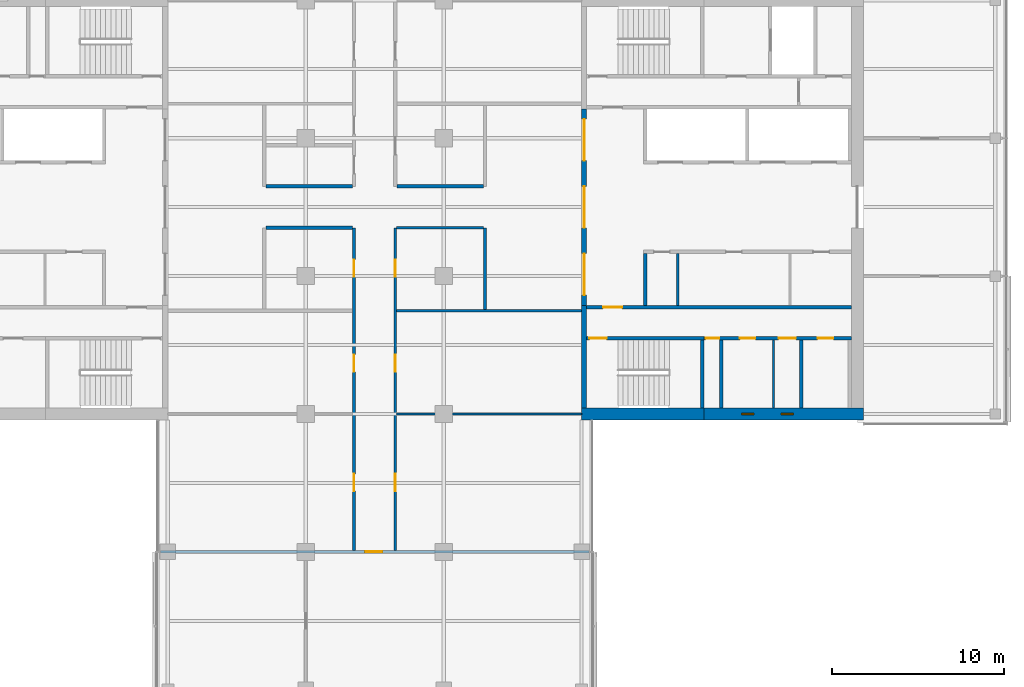
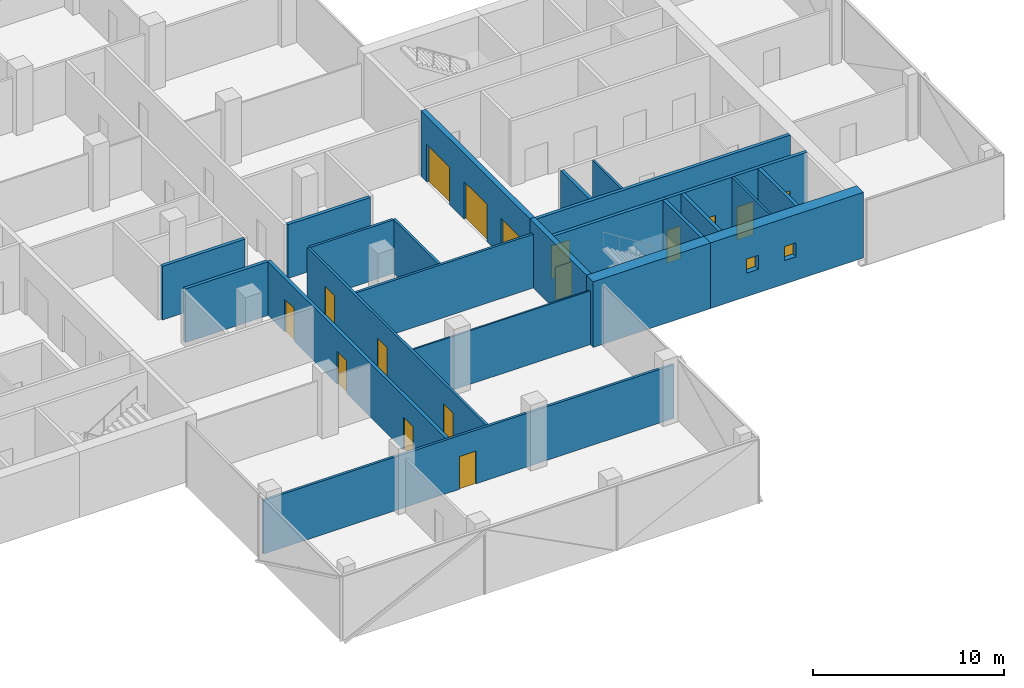
# One storey, part 14 of 22: 23 walls, 16 doors, 2 windows, 18 openings.
"""IFC4 building model written with IfcOpenShell, lengths in metres."""

from ifc_helpers import new_model, si_unit, direction, frame, frame_2d, origin, place, context, subcontext, project, spatial, rectangle, extrude, material, layer, layer_set, constituent, constituent_set, type_object, element, fill, save


model = new_model("IFC4")

# Units and contexts
model_context = context("Model", 3, precision=1e-05, world=origin(), true_north=direction((0.0, 1.0)))
body_context = subcontext(model_context, "Body", "Model", "MODEL_VIEW")
ifc_project = project(units=[si_unit("LENGTHUNIT", "METRE"), si_unit("AREAUNIT", "SQUARE_METRE"), si_unit("VOLUMEUNIT", "CUBIC_METRE"), si_unit("PLANEANGLEUNIT", "RADIAN"), si_unit("MASSUNIT", "GRAM", prefix="KILO")], contexts=[model_context])

# Site, building, storey
site_placement = place(None, origin())
site = spatial("IfcSite", under=ifc_project, at=site_placement, CompositionType="ELEMENT")
building_placement = place(site_placement, origin())
building = spatial("IfcBuilding", under=site, at=building_placement, Name="Crosswind Convention Tower", CompositionType="ELEMENT")
storey_placement = place(building_placement, frame((0.0, 0.0, 129.5)))
storey = spatial("IfcBuildingStorey", under=building, at=storey_placement, Name="L26", CompositionType="ELEMENT", Elevation=129.5)

# Wall
ifc_material_1 = material(Name="Concrete blockwork", Category="masonry")
ifc_layer_1 = layer(ifc_material_1, 0.199951171875)
ifc_layer_set_1 = layer_set([ifc_layer_1], Name="Blockwork partition wall 200")
wall_type_1 = type_object("IfcWallType", Name="Blockwork partition wall 200", PredefinedType="PARTITIONING", material=ifc_layer_set_1)
wall_1_placement = place(storey_placement, frame((145.10009765625, 88.35009765625, 0.0), z_axis=(0.0, 0.0, 1.0), x_axis=(0.0, 1.0, 0.0)))
element("IfcWall", 1, at=wall_1_placement, inside=storey, type_object=wall_type_1, Name="Wall MRSE E L26", PredefinedType="PARTITIONING", context=body_context, shape_type="SweptSolid", body=[
    extrude(rectangle(XDim=3.949951171875, YDim=0.199951171875, at=frame_2d((1.97509765625, 0.0))), origin(), (0.0, 0.0, 1.0), 4.199951171875),
])

# Wall, openings, doors
ifc_layer_2 = layer(ifc_material_1, 0.199951171875)
ifc_layer_set_2 = layer_set([ifc_layer_2], Name="COMPARTMENT WALL 200 BLOCKWORK")
wall_type_2 = type_object("IfcWallType", Name="COMPARTMENT WALL 200 BLOCKWORK", PredefinedType="SOLIDWALL", material=ifc_layer_set_2)
wall_2_placement = place(storey_placement, frame((123.800048828125, 80.074951171875, 0.0), z_axis=(0.0, 0.0, 1.0), x_axis=(0.0, 1.0, 0.0)))
wall_2 = element("IfcWall", 2, at=wall_2_placement, inside=storey, type_object=wall_type_2, Name="Compartment wall WT42", PredefinedType="SOLIDWALL", context=body_context, shape_type="SweptSolid", body=[
    extrude(rectangle(XDim=18.72509765625, YDim=0.199951171875, at=frame_2d((9.362548828125, 0.0))), origin(), (0.0, 0.0, 1.0), 3.436279296875),
])
opening_1_placement = place(wall_2_placement, frame((15.875, 0.0, 0.0)))
opening_1 = element("IfcOpeningElement", 3, at=opening_1_placement, cuts=wall_2, Name="Opening L26-60", PredefinedType="OPENING", context=body_context, shape_type="SweptSolid", body=[
    extrude(rectangle(XDim=1.0, YDim=2.10009765625, at=frame_2d((0.5, 1.050048828125))), frame((0.0, 0.10986328125, 0.0), z_axis=(0.0, -1.0, 0.0), x_axis=(1.0, 0.0, 0.0)), (0.0, 0.0, 1.0), 0.219970703125),
])
opening_2_placement = place(wall_2_placement, frame((10.375, 0.0, 0.0)))
opening_2 = element("IfcOpeningElement", 4, at=opening_2_placement, cuts=wall_2, Name="Opening L26-61", PredefinedType="OPENING", context=body_context, shape_type="SweptSolid", body=[
    extrude(rectangle(XDim=1.0, YDim=2.10009765625, at=frame_2d((0.5, 1.050048828125))), frame((0.0, 0.10986328125, 0.0), z_axis=(0.0, -1.0, 0.0), x_axis=(1.0, 0.0, 0.0)), (0.0, 0.0, 1.0), 0.219970703125),
])
opening_3_placement = place(wall_2_placement, frame((3.449951171875, 0.0, 0.0)))
opening_3 = element("IfcOpeningElement", 5, at=opening_3_placement, cuts=wall_2, Name="Opening L26-62", PredefinedType="OPENING", context=body_context, shape_type="SweptSolid", body=[
    extrude(rectangle(XDim=1.0, YDim=2.10009765625, at=frame_2d((0.5, 1.050048828125))), frame((0.0, 0.10986328125, 0.0), z_axis=(0.0, -1.0, 0.0), x_axis=(1.0, 0.0, 0.0)), (0.0, 0.0, 1.0), 0.219970703125),
])
ifc_material_2 = material(Name="Steel fire door", Category="steel")
door_type_1 = type_object("IfcDoorType", Name="PLANT ROOM DOOR 1000X2100 FD60", OperationType="NOTDEFINED", PredefinedType="DOOR", material=ifc_material_2)
door_1_placement = place(opening_1_placement, origin())
door_1 = element("IfcDoor", 6, at=door_1_placement, inside=storey, type_object=door_type_1, Name="Door L26-60", ObjectType="D43", OperationType="SINGLE_SWING_RIGHT", OverallHeight=2.10009765625, OverallWidth=1.0, PredefinedType="DOOR", context=body_context, shape_type="SweptSolid", body=[
    extrude(rectangle(XDim=1.0, YDim=2.10009765625, at=frame_2d((0.5, 1.050048828125))), frame((0.0, 0.02490234375, 0.0), z_axis=(0.0, -1.0, 0.0), x_axis=(1.0, 0.0, 0.0)), (0.0, 0.0, 1.0), 0.050048828125),
])
fill(opening_1, door_1)
ifc_material_3 = material(Name="Timber fire door", Category="wood")
door_type_2 = type_object("IfcDoorType", Name="TENANCY ENTRANCE DOOR 1000X2100 FD30S", OperationType="NOTDEFINED", PredefinedType="DOOR", material=ifc_material_3)
door_2_placement = place(opening_2_placement, frame((1.0, 0.0, 0.0), z_axis=(0.0, 0.0, 1.0), x_axis=(-1.0, 0.0, 0.0)))
door_2 = element("IfcDoor", 7, at=door_2_placement, inside=storey, type_object=door_type_2, Name="Door L26-61", ObjectType="D41", OperationType="SINGLE_SWING_LEFT", OverallHeight=2.10009765625, OverallWidth=1.0, PredefinedType="DOOR", context=body_context, shape_type="SweptSolid", body=[
    extrude(rectangle(XDim=1.0, YDim=2.10009765625, at=frame_2d((0.5, 1.050048828125))), frame((0.0, 0.02490234375, 0.0), z_axis=(0.0, -1.0, 0.0), x_axis=(1.0, 0.0, 0.0)), (0.0, 0.0, 1.0), 0.050048828125),
])
fill(opening_2, door_2)
door_3_placement = place(opening_3_placement, origin())
door_3 = element("IfcDoor", 8, at=door_3_placement, inside=storey, type_object=door_type_2, Name="Door L26-62", ObjectType="D41", OperationType="SINGLE_SWING_RIGHT", OverallHeight=2.10009765625, OverallWidth=1.0, PredefinedType="DOOR", context=body_context, shape_type="SweptSolid", body=[
    extrude(rectangle(XDim=1.0, YDim=2.10009765625, at=frame_2d((0.5, 1.050048828125))), frame((0.0, 0.02490234375, 0.0), z_axis=(0.0, -1.0, 0.0), x_axis=(1.0, 0.0, 0.0)), (0.0, 0.0, 1.0), 0.050048828125),
])
fill(opening_3, door_3)

# Walls
for number, where, z_axis, x_axis, name in (
    (9, (118.699951171875, 98.800048828125, 0.0), (0.0, 0.0, 1.0), (1.0, 0.0, 0.0), "Compartment wall WT42"),
    (10, (118.699951171875, 101.199951171875, 0.0), (0.0, 0.0, 1.0), (1.0, 0.0, 0.0), "Compartment wall WT42"),
    (11, (126.300048828125, 101.199951171875, 0.0), (0.0, 0.0, 1.0), (1.0, 0.0, 0.0), "Compartment wall WT42"),
):
    element("IfcWall", number, at=place(storey_placement, frame(where, z_axis=z_axis, x_axis=x_axis)), inside=storey, type_object=wall_type_2, Name=name, PredefinedType="SOLIDWALL", context=body_context, shape_type="SweptSolid", body=[
        extrude(rectangle(XDim=5.0, YDim=0.199951171875, at=frame_2d((2.5, 0.0))), origin(), (0.0, 0.0, 1.0), 3.436279296875),
    ])

# Wall, openings, doors
ifc_material_4 = material(Name="Concrete C50/60", Category="concrete")
ifc_layer_3 = layer(ifc_material_4, 0.300048828125)
ifc_layer_set_3 = layer_set([ifc_layer_3], Name="Concrete C50/60")
wall_type_3 = type_object("IfcWallType", Name="Concrete inner core wall 300", PredefinedType="SHEAR", material=ifc_layer_set_3)
wall_3_placement = place(storey_placement, frame((137.14990234375, 94.300048828125, 0.0), z_axis=(0.0, 0.0, 1.0), x_axis=(0.0, 1.0, 0.0)))
wall_3 = element("IfcWall", 12, at=wall_3_placement, inside=storey, type_object=wall_type_3, Name="Wall SCR E L26", PredefinedType="SHEAR", context=body_context, shape_type="SweptSolid", body=[
    extrude(rectangle(XDim=11.39990234375, YDim=0.300048828125, at=frame_2d((5.699951171875, 0.0))), origin(), (0.0, 0.0, 1.0), 4.199951171875),
])
opening_4_placement = place(wall_3_placement, frame((0.60009765625, 0.0, 0.0)))
opening_4 = element("IfcOpeningElement", 13, at=opening_4_placement, cuts=wall_3, Name="Opening D100", PredefinedType="OPENING", context=body_context, shape_type="SweptSolid", body=[
    extrude(rectangle(XDim=2.39990234375, YDim=2.39990234375, at=frame_2d((1.199951171875, 1.199951171875))), frame((0.0, 0.159912109375, 0.0), z_axis=(0.0, -1.0, 0.0), x_axis=(1.0, 0.0, 0.0)), (0.0, 0.0, 1.0), 0.320068359375),
])
opening_5_placement = place(wall_3_placement, frame((4.5, 0.0, 0.0)))
opening_5 = element("IfcOpeningElement", 14, at=opening_5_placement, cuts=wall_3, Name="Opening D100", PredefinedType="OPENING", context=body_context, shape_type="SweptSolid", body=[
    extrude(rectangle(XDim=2.39990234375, YDim=2.39990234375, at=frame_2d((1.199951171875, 1.199951171875))), frame((0.0, 0.159912109375, 0.0), z_axis=(0.0, -1.0, 0.0), x_axis=(1.0, 0.0, 0.0)), (0.0, 0.0, 1.0), 0.320068359375),
])
opening_6_placement = place(wall_3_placement, frame((8.39990234375, 0.0, 0.0)))
opening_6 = element("IfcOpeningElement", 15, at=opening_6_placement, cuts=wall_3, Name="Opening D100", PredefinedType="OPENING", context=body_context, shape_type="SweptSolid", body=[
    extrude(rectangle(XDim=2.39990234375, YDim=2.39990234375, at=frame_2d((1.199951171875, 1.199951171875))), frame((0.0, 0.159912109375, 0.0), z_axis=(0.0, -1.0, 0.0), x_axis=(1.0, 0.0, 0.0)), (0.0, 0.0, 1.0), 0.320068359375),
])
ifc_material_5 = material(Name="Steel fire door with glazed vision panels", Category="steel")
door_type_3 = type_object("IfcDoorType", Name="Fire-rated double door 2400x2400", OperationType="DOUBLE_DOOR_SINGLE_SWING", PredefinedType="DOOR", material=ifc_material_5)
door_4_placement = place(opening_4_placement, origin())
door_4 = element("IfcDoor", 16, at=door_4_placement, inside=storey, type_object=door_type_3, Name="Lobby door 1 L26", ObjectType="D100", OperationType="DOUBLE_DOOR_SINGLE_SWING", OverallHeight=2.39990234375, OverallWidth=2.39990234375, PredefinedType="DOOR", context=body_context, shape_type="SweptSolid", body=[
    extrude(rectangle(XDim=2.39990234375, YDim=2.39990234375, at=frame_2d((1.199951171875, 1.199951171875))), frame((0.0, 0.02490234375, 0.0), z_axis=(0.0, -1.0, 0.0), x_axis=(1.0, 0.0, 0.0)), (0.0, 0.0, 1.0), 0.050048828125),
])
fill(opening_4, door_4)
door_5_placement = place(opening_5_placement, origin())
door_5 = element("IfcDoor", 17, at=door_5_placement, inside=storey, type_object=door_type_3, Name="Lobby door 2 L26", ObjectType="D100", OperationType="DOUBLE_DOOR_SINGLE_SWING", OverallHeight=2.39990234375, OverallWidth=2.39990234375, PredefinedType="DOOR", context=body_context, shape_type="SweptSolid", body=[
    extrude(rectangle(XDim=2.39990234375, YDim=2.39990234375, at=frame_2d((1.199951171875, 1.199951171875))), frame((0.0, 0.02490234375, 0.0), z_axis=(0.0, -1.0, 0.0), x_axis=(1.0, 0.0, 0.0)), (0.0, 0.0, 1.0), 0.050048828125),
])
fill(opening_5, door_5)
door_6_placement = place(opening_6_placement, origin())
door_6 = element("IfcDoor", 18, at=door_6_placement, inside=storey, type_object=door_type_3, Name="Lobby door 3 L26", ObjectType="D100", OperationType="DOUBLE_DOOR_SINGLE_SWING", OverallHeight=2.39990234375, OverallWidth=2.39990234375, PredefinedType="DOOR", context=body_context, shape_type="SweptSolid", body=[
    extrude(rectangle(XDim=2.39990234375, YDim=2.39990234375, at=frame_2d((1.199951171875, 1.199951171875))), frame((0.0, 0.02490234375, 0.0), z_axis=(0.0, -1.0, 0.0), x_axis=(1.0, 0.0, 0.0)), (0.0, 0.0, 1.0), 0.050048828125),
])
fill(opening_6, door_6)

# Walls
wall_4_placement = place(storey_placement, frame((137.14990234375, 88.35009765625, 0.0), z_axis=(0.0, 0.0, 1.0), x_axis=(0.0, 1.0, 0.0)))
element("IfcWall", 19, at=wall_4_placement, inside=storey, type_object=wall_type_3, Name="Wall EM E L26", PredefinedType="SHEAR", context=body_context, shape_type="SweptSolid", body=[
    extrude(rectangle(XDim=5.949951171875, YDim=0.300048828125, at=frame_2d((2.97509765625, 0.0))), origin(), (0.0, 0.0, 1.0), 4.199951171875),
])
ifc_layer_4 = layer(ifc_material_4, 0.199951171875)
ifc_layer_set_4 = layer_set([ifc_layer_4], Name="Concrete C50/60")
wall_type_4 = type_object("IfcWallType", Name="Concrete shaft and stair wall 200", PredefinedType="SHEAR", material=ifc_layer_set_4)
wall_5_placement = place(storey_placement, frame((140.699951171875, 94.300048828125, 0.0), z_axis=(0.0, 0.0, 1.0), x_axis=(0.0, 1.0, 0.0)))
element("IfcWall", 20, at=wall_5_placement, inside=storey, type_object=wall_type_4, Name="Wall RMEND E L26", PredefinedType="SHEAR", context=body_context, shape_type="SweptSolid", body=[
    extrude(rectangle(XDim=3.0, YDim=0.199951171875, at=frame_2d((1.5, 0.0))), origin(), (0.0, 0.0, 1.0), 4.199951171875),
])

# Wall, opening, door
wall_6_placement = place(storey_placement, frame((137.300048828125, 94.199951171875, 0.0), z_axis=(0.0, 0.0, 1.0), x_axis=(1.0, 0.0, 0.0)))
wall_6 = element("IfcWall", 21, at=wall_6_placement, inside=storey, type_object=wall_type_4, Name="Wall HM E L26", PredefinedType="SHEAR", context=body_context, shape_type="SweptSolid", body=[
    extrude(rectangle(XDim=15.349853515625, YDim=0.199951171875, at=frame_2d((7.6748046875, 0.0))), origin(), (0.0, 0.0, 1.0), 4.199951171875),
])
opening_7_placement = place(wall_6_placement, frame((0.949951171875, 0.0, 0.0)))
opening_7 = element("IfcOpeningElement", 22, at=opening_7_placement, cuts=wall_6, Name="Opening D104", PredefinedType="OPENING", context=body_context, shape_type="SweptSolid", body=[
    extrude(rectangle(XDim=1.10009765625, YDim=2.10009765625, at=frame_2d((0.550048828125, 1.050048828125))), frame((0.0, 0.10986328125, 0.0), z_axis=(0.0, -1.0, 0.0), x_axis=(1.0, 0.0, 0.0)), (0.0, 0.0, 1.0), 0.219970703125),
])
door_type_4 = type_object("IfcDoorType", Name="Fire-rated single door 1100x2100", OperationType="NOTDEFINED", PredefinedType="DOOR", material=ifc_material_2)
door_7_placement = place(opening_7_placement, origin())
door_7 = element("IfcDoor", 23, at=door_7_placement, inside=storey, type_object=door_type_4, Name="Corridor door L26", ObjectType="D104", OperationType="SINGLE_SWING_LEFT", OverallHeight=2.10009765625, OverallWidth=1.10009765625, PredefinedType="DOOR", context=body_context, shape_type="SweptSolid", body=[
    extrude(rectangle(XDim=1.10009765625, YDim=2.10009765625, at=frame_2d((0.550048828125, 1.050048828125))), frame((0.0, 0.02490234375, 0.0), z_axis=(0.0, -1.0, 0.0), x_axis=(1.0, 0.0, 0.0)), (0.0, 0.0, 1.0), 0.050048828125),
])
fill(opening_7, door_7)

# Walls
for number, where, z_axis, x_axis, name in (
    (24, (144.0, 88.35009765625, 0.0), (0.0, 0.0, 1.0), (0.0, 1.0, 0.0), "Wall MSE E L26"),
    (25, (149.75, 88.35009765625, 0.0), (0.0, 0.0, 1.0), (0.0, 1.0, 0.0), "Wall MFSW E L26"),
):
    element("IfcWall", number, at=place(storey_placement, frame(where, z_axis=z_axis, x_axis=x_axis)), inside=storey, type_object=wall_type_4, Name=name, PredefinedType="SHEAR", context=body_context, shape_type="SweptSolid", body=[
        extrude(rectangle(XDim=3.949951171875, YDim=0.199951171875, at=frame_2d((1.97509765625, 0.0))), origin(), (0.0, 0.0, 1.0), 4.199951171875),
    ])

# Wall, opening, door
wall_7_placement = place(storey_placement, frame((137.300048828125, 92.39990234375, 0.0), z_axis=(0.0, 0.0, 1.0), x_axis=(1.0, 0.0, 0.0)))
wall_7 = element("IfcWall", 26, at=wall_7_placement, inside=storey, type_object=wall_type_4, Name="Wall MCW E L26", PredefinedType="SHEAR", context=body_context, shape_type="SweptSolid", body=[
    extrude(rectangle(XDim=6.800048828125, YDim=0.199951171875, at=frame_2d((3.39990234375, 0.0))), origin(), (0.0, 0.0, 1.0), 4.199951171875),
])
opening_8_placement = place(wall_7_placement, frame((0.14990234375, 0.0, 0.0)))
opening_8 = element("IfcOpeningElement", 27, at=opening_8_placement, cuts=wall_7, Name="Opening D103", PredefinedType="OPENING", context=body_context, shape_type="SweptSolid", body=[
    extrude(rectangle(XDim=1.0, YDim=2.10009765625, at=frame_2d((0.5, 1.050048828125))), frame((0.0, 0.10986328125, 0.0), z_axis=(0.0, -1.0, 0.0), x_axis=(1.0, 0.0, 0.0)), (0.0, 0.0, 1.0), 0.219970703125),
])
door_type_5 = type_object("IfcDoorType", Name="Fire-rated single door 1000x2100", OperationType="NOTDEFINED", PredefinedType="DOOR", material=ifc_material_2)
door_8_placement = place(opening_8_placement, frame((1.0, 0.0, 0.0), z_axis=(0.0, 0.0, 1.0), x_axis=(-1.0, 0.0, 0.0)))
door_8 = element("IfcDoor", 28, at=door_8_placement, inside=storey, type_object=door_type_5, Name="Stair ST2 door L26", ObjectType="D103", OperationType="SINGLE_SWING_RIGHT", OverallHeight=2.10009765625, OverallWidth=1.0, PredefinedType="DOOR", context=body_context, shape_type="SweptSolid", body=[
    extrude(rectangle(XDim=1.0, YDim=2.10009765625, at=frame_2d((0.5, 1.050048828125))), frame((0.0, 0.02490234375, 0.0), z_axis=(0.0, -1.0, 0.0), x_axis=(1.0, 0.0, 0.0)), (0.0, 0.0, 1.0), 0.050048828125),
])
fill(opening_8, door_8)

# Wall, openings, doors
wall_8_placement = place(storey_placement, frame((144.10009765625, 92.39990234375, 0.0), z_axis=(0.0, 0.0, 1.0), x_axis=(1.0, 0.0, 0.0)))
wall_8 = element("IfcWall", 29, at=wall_8_placement, inside=storey, type_object=wall_type_4, Name="Wall MCX E L26", PredefinedType="SHEAR", context=body_context, shape_type="SweptSolid", body=[
    extrude(rectangle(XDim=8.5498046875, YDim=0.199951171875, at=frame_2d((4.27490234375, 0.0))), origin(), (0.0, 0.0, 1.0), 4.199951171875),
])
opening_9_placement = place(wall_8_placement, frame((0.10009765625, 0.0, 0.0)))
opening_9 = element("IfcOpeningElement", 30, at=opening_9_placement, cuts=wall_8, Name="Opening D105", PredefinedType="OPENING", context=body_context, shape_type="SweptSolid", body=[
    extrude(rectangle(XDim=0.800048828125, YDim=2.10009765625, at=frame_2d((0.39990234375, 1.050048828125))), frame((0.0, 0.10986328125, 0.0), z_axis=(0.0, -1.0, 0.0), x_axis=(1.0, 0.0, 0.0)), (0.0, 0.0, 1.0), 0.219970703125),
])
opening_10_placement = place(wall_8_placement, frame((2.087158203125, 0.0, 0.0)))
opening_10 = element("IfcOpeningElement", 31, at=opening_10_placement, cuts=wall_8, Name="Opening D106", PredefinedType="OPENING", context=body_context, shape_type="SweptSolid", body=[
    extrude(rectangle(XDim=0.89990234375, YDim=2.10009765625, at=frame_2d((0.449951171875, 1.050048828125))), frame((0.0, 0.10986328125, 0.0), z_axis=(0.0, -1.0, 0.0), x_axis=(1.0, 0.0, 0.0)), (0.0, 0.0, 1.0), 0.219970703125),
])
opening_11_placement = place(wall_8_placement, frame((4.32470703125, 0.0, 0.0)))
opening_11 = element("IfcOpeningElement", 32, at=opening_11_placement, cuts=wall_8, Name="Opening D103", PredefinedType="OPENING", context=body_context, shape_type="SweptSolid", body=[
    extrude(rectangle(XDim=1.0, YDim=2.10009765625, at=frame_2d((0.5, 1.050048828125))), frame((0.0, 0.10986328125, 0.0), z_axis=(0.0, -1.0, 0.0), x_axis=(1.0, 0.0, 0.0)), (0.0, 0.0, 1.0), 0.219970703125),
])
opening_12_placement = place(wall_8_placement, frame((6.60009765625, 0.0, 0.0)))
opening_12 = element("IfcOpeningElement", 33, at=opening_12_placement, cuts=wall_8, Name="Opening D106", PredefinedType="OPENING", context=body_context, shape_type="SweptSolid", body=[
    extrude(rectangle(XDim=0.89990234375, YDim=2.10009765625, at=frame_2d((0.449951171875, 1.050048828125))), frame((0.0, 0.10986328125, 0.0), z_axis=(0.0, -1.0, 0.0), x_axis=(1.0, 0.0, 0.0)), (0.0, 0.0, 1.0), 0.219970703125),
])
door_9_placement = place(opening_11_placement, frame((1.0, 0.0, 0.0), z_axis=(0.0, 0.0, 1.0), x_axis=(-1.0, 0.0, 0.0)))
door_9 = element("IfcDoor", 34, at=door_9_placement, inside=storey, type_object=door_type_5, Name="Door to accessible wc L26", ObjectType="D103", OperationType="SINGLE_SWING_LEFT", OverallHeight=2.10009765625, OverallWidth=1.0, PredefinedType="DOOR", context=body_context, shape_type="SweptSolid", body=[
    extrude(rectangle(XDim=1.0, YDim=2.10009765625, at=frame_2d((0.5, 1.050048828125))), frame((0.0, 0.02490234375, 0.0), z_axis=(0.0, -1.0, 0.0), x_axis=(1.0, 0.0, 0.0)), (0.0, 0.0, 1.0), 0.050048828125),
])
fill(opening_11, door_9)
door_type_6 = type_object("IfcDoorType", Name="Riser access door 800x2100", OperationType="NOTDEFINED", PredefinedType="DOOR", material=ifc_material_2)
door_10_placement = place(opening_9_placement, frame((0.800048828125, 0.0, 0.0), z_axis=(0.0, 0.0, 1.0), x_axis=(-1.0, 0.0, 0.0)))
door_10 = element("IfcDoor", 35, at=door_10_placement, inside=storey, type_object=door_type_6, Name="Riser door L26", ObjectType="D105", OperationType="SINGLE_SWING_LEFT", OverallHeight=2.10009765625, OverallWidth=0.800048828125, PredefinedType="DOOR", context=body_context, shape_type="SweptSolid", body=[
    extrude(rectangle(XDim=0.800048828125, YDim=2.10009765625, at=frame_2d((0.39990234375, 1.050048828125))), frame((0.0, 0.02490234375, 0.0), z_axis=(0.0, -1.0, 0.0), x_axis=(1.0, 0.0, 0.0)), (0.0, 0.0, 1.0), 0.050048828125),
])
fill(opening_9, door_10)
ifc_material_6 = material(Name="Timber door", Category="wood")
door_type_7 = type_object("IfcDoorType", Name="Single leaf door 900x2100", OperationType="NOTDEFINED", PredefinedType="DOOR", material=ifc_material_6)
door_11_placement = place(opening_10_placement, frame((0.89990234375, 0.0, 0.0), z_axis=(0.0, 0.0, 1.0), x_axis=(-1.0, 0.0, 0.0)))
door_11 = element("IfcDoor", 36, at=door_11_placement, inside=storey, type_object=door_type_7, Name="Door to wc L26", ObjectType="D106", OperationType="SINGLE_SWING_LEFT", OverallHeight=2.10009765625, OverallWidth=0.89990234375, PredefinedType="DOOR", context=body_context, shape_type="SweptSolid", body=[
    extrude(rectangle(XDim=0.89990234375, YDim=2.10009765625, at=frame_2d((0.449951171875, 1.050048828125))), frame((0.0, 0.02490234375, 0.0), z_axis=(0.0, -1.0, 0.0), x_axis=(1.0, 0.0, 0.0)), (0.0, 0.0, 1.0), 0.050048828125),
])
fill(opening_10, door_11)
door_12_placement = place(opening_12_placement, frame((0.89990234375, 0.0, 0.0), z_axis=(0.0, 0.0, 1.0), x_axis=(-1.0, 0.0, 0.0)))
door_12 = element("IfcDoor", 37, at=door_12_placement, inside=storey, type_object=door_type_7, Name="Door to accessible wc L26", ObjectType="D106", OperationType="SINGLE_SWING_LEFT", OverallHeight=2.10009765625, OverallWidth=0.89990234375, PredefinedType="DOOR", context=body_context, shape_type="SweptSolid", body=[
    extrude(rectangle(XDim=0.89990234375, YDim=2.10009765625, at=frame_2d((0.449951171875, 1.050048828125))), frame((0.0, 0.02490234375, 0.0), z_axis=(0.0, -1.0, 0.0), x_axis=(1.0, 0.0, 0.0)), (0.0, 0.0, 1.0), 0.050048828125),
])
fill(opening_12, door_12)

# Walls
ifc_material_7 = material(Name="Gypsum plasterboard partition", Category="gypsum")
ifc_layer_5 = layer(ifc_material_7, 0.125)
ifc_layer_set_5 = layer_set([ifc_layer_5], Name="Drywall partition wall 125")
wall_type_5 = type_object("IfcWallType", Name="Drywall partition wall 125", PredefinedType="PARTITIONING", material=ifc_layer_set_5)
wall_9_placement = place(storey_placement, frame((142.577392578125, 94.300048828125, 0.0), z_axis=(0.0, 0.0, 1.0), x_axis=(0.0, 1.0, 0.0)))
element("IfcWall", 38, at=wall_9_placement, inside=storey, type_object=wall_type_5, Name="Wall RMP1 E L26", PredefinedType="PARTITIONING", context=body_context, shape_type="SweptSolid", body=[
    extrude(rectangle(XDim=3.0, YDim=0.125, at=frame_2d((1.5, 0.0))), origin(), (0.0, 0.0, 1.0), 4.199951171875),
])
wall_10_placement = place(storey_placement, frame((148.136962890625, 88.35009765625, 0.0), z_axis=(0.0, 0.0, 1.0), x_axis=(0.0, 1.0, 0.0)))
element("IfcWall", 39, at=wall_10_placement, inside=storey, type_object=wall_type_5, Name="Wall MWP1 E L26", PredefinedType="PARTITIONING", context=body_context, shape_type="SweptSolid", body=[
    extrude(rectangle(XDim=3.949951171875, YDim=0.125, at=frame_2d((1.97509765625, 0.0))), origin(), (0.0, 0.0, 1.0), 4.199951171875),
])
ifc_material_8 = material(Name="Plasterboard partition", Category="gypsum")
ifc_layer_6 = layer(ifc_material_8, 0.10009765625)
ifc_layer_set_6 = layer_set([ifc_layer_6], Name="PARTITION 100 METAL STUD")
wall_type_6 = type_object("IfcWallType", Name="PARTITION 100 METAL STUD", PredefinedType="PARTITIONING", material=ifc_layer_set_6)
wall_11_placement = place(storey_placement, frame((126.27490234375, 88.0, 0.0), z_axis=(0.0, 0.0, 1.0), x_axis=(1.0, 0.0, 0.0)))
element("IfcWall", 40, at=wall_11_placement, inside=storey, type_object=wall_type_6, Name="Partition wall WT40", PredefinedType="PARTITIONING", context=body_context, shape_type="SweptSolid", body=[
    extrude(rectangle(XDim=10.72509765625, YDim=0.10009765625, at=frame_2d((5.362548828125, 0.0))), origin(), (0.0, 0.0, 1.0), 3.436279296875),
])

# Wall, openings, doors
ifc_material_9 = material(Name="Fire-board partition with mineral wool", Category="gypsum")
ifc_layer_7 = layer(ifc_material_9, 0.14990234375)
ifc_layer_set_7 = layer_set([ifc_layer_7], Name="TENANCY WALL 150 TWO-HOUR BOARD")
wall_type_7 = type_object("IfcWallType", Name="TENANCY WALL 150 TWO-HOUR BOARD", PredefinedType="PARTITIONING", material=ifc_layer_set_7)
wall_12_placement = place(storey_placement, frame((126.199951171875, 80.074951171875, 0.0), z_axis=(0.0, 0.0, 1.0), x_axis=(0.0, 1.0, 0.0)))
wall_12 = element("IfcWall", 41, at=wall_12_placement, inside=storey, type_object=wall_type_7, Name="Tenancy wall WT41", PredefinedType="PARTITIONING", context=body_context, shape_type="SweptSolid", body=[
    extrude(rectangle(XDim=18.72509765625, YDim=0.14990234375, at=frame_2d((9.362548828125, 0.0))), origin(), (0.0, 0.0, 1.0), 3.436279296875),
])
opening_13_placement = place(wall_12_placement, frame((15.875, 0.0, 0.0)))
opening_13 = element("IfcOpeningElement", 42, at=opening_13_placement, cuts=wall_12, Name="Opening L26-53", PredefinedType="OPENING", context=body_context, shape_type="SweptSolid", body=[
    extrude(rectangle(XDim=1.0, YDim=2.10009765625, at=frame_2d((0.5, 1.050048828125))), frame((0.0, 0.0849609375, 0.0), z_axis=(0.0, -1.0, 0.0), x_axis=(1.0, 0.0, 0.0)), (0.0, 0.0, 1.0), 0.169921875),
])
opening_14_placement = place(wall_12_placement, frame((10.375, 0.0, 0.0)))
opening_14 = element("IfcOpeningElement", 43, at=opening_14_placement, cuts=wall_12, Name="Opening L26-54", PredefinedType="OPENING", context=body_context, shape_type="SweptSolid", body=[
    extrude(rectangle(XDim=1.0, YDim=2.10009765625, at=frame_2d((0.5, 1.050048828125))), frame((0.0, 0.0849609375, 0.0), z_axis=(0.0, -1.0, 0.0), x_axis=(1.0, 0.0, 0.0)), (0.0, 0.0, 1.0), 0.169921875),
])
opening_15_placement = place(wall_12_placement, frame((3.449951171875, 0.0, 0.0)))
opening_15 = element("IfcOpeningElement", 44, at=opening_15_placement, cuts=wall_12, Name="Opening L26-55", PredefinedType="OPENING", context=body_context, shape_type="SweptSolid", body=[
    extrude(rectangle(XDim=1.0, YDim=2.10009765625, at=frame_2d((0.5, 1.050048828125))), frame((0.0, 0.0849609375, 0.0), z_axis=(0.0, -1.0, 0.0), x_axis=(1.0, 0.0, 0.0)), (0.0, 0.0, 1.0), 0.169921875),
])
door_13_placement = place(opening_13_placement, frame((1.0, 0.0, 0.0), z_axis=(0.0, 0.0, 1.0), x_axis=(-1.0, 0.0, 0.0)))
door_13 = element("IfcDoor", 45, at=door_13_placement, inside=storey, type_object=door_type_2, Name="Door L26-53", ObjectType="D41", OperationType="SINGLE_SWING_LEFT", OverallHeight=2.10009765625, OverallWidth=1.0, PredefinedType="DOOR", context=body_context, shape_type="SweptSolid", body=[
    extrude(rectangle(XDim=1.0, YDim=2.10009765625, at=frame_2d((0.5, 1.050048828125))), frame((0.0, 0.02490234375, 0.0), z_axis=(0.0, -1.0, 0.0), x_axis=(1.0, 0.0, 0.0)), (0.0, 0.0, 1.0), 0.050048828125),
])
fill(opening_13, door_13)
door_14_placement = place(opening_14_placement, frame((1.0, 0.0, 0.0), z_axis=(0.0, 0.0, 1.0), x_axis=(-1.0, 0.0, 0.0)))
door_14 = element("IfcDoor", 46, at=door_14_placement, inside=storey, type_object=door_type_2, Name="Door L26-54", ObjectType="D41", OperationType="SINGLE_SWING_RIGHT", OverallHeight=2.10009765625, OverallWidth=1.0, PredefinedType="DOOR", context=body_context, shape_type="SweptSolid", body=[
    extrude(rectangle(XDim=1.0, YDim=2.10009765625, at=frame_2d((0.5, 1.050048828125))), frame((0.0, 0.02490234375, 0.0), z_axis=(0.0, -1.0, 0.0), x_axis=(1.0, 0.0, 0.0)), (0.0, 0.0, 1.0), 0.050048828125),
])
fill(opening_14, door_14)
door_15_placement = place(opening_15_placement, frame((1.0, 0.0, 0.0), z_axis=(0.0, 0.0, 1.0), x_axis=(-1.0, 0.0, 0.0)))
door_15 = element("IfcDoor", 47, at=door_15_placement, inside=storey, type_object=door_type_2, Name="Door L26-55", ObjectType="D41", OperationType="SINGLE_SWING_LEFT", OverallHeight=2.10009765625, OverallWidth=1.0, PredefinedType="DOOR", context=body_context, shape_type="SweptSolid", body=[
    extrude(rectangle(XDim=1.0, YDim=2.10009765625, at=frame_2d((0.5, 1.050048828125))), frame((0.0, 0.02490234375, 0.0), z_axis=(0.0, -1.0, 0.0), x_axis=(1.0, 0.0, 0.0)), (0.0, 0.0, 1.0), 0.050048828125),
])
fill(opening_15, door_15)

# Wall
wall_13_placement = place(storey_placement, frame((131.39990234375, 94.074951171875, 0.0), z_axis=(0.0, 0.0, 1.0), x_axis=(0.0, 1.0, 0.0)))
element("IfcWall", 48, at=wall_13_placement, inside=storey, type_object=wall_type_7, Name="Tenancy wall WT41", PredefinedType="PARTITIONING", context=body_context, shape_type="SweptSolid", body=[
    extrude(rectangle(XDim=4.72509765625, YDim=0.14990234375, at=frame_2d((2.362548828125, 0.0))), origin(), (0.0, 0.0, 1.0), 3.436279296875),
])

# Wall, opening, door
wall_14_placement = place(storey_placement, frame((112.580078125, 80.0, 0.0), z_axis=(0.0, 0.0, 1.0), x_axis=(1.0, 0.0, 0.0)))
wall_14 = element("IfcWall", 49, at=wall_14_placement, inside=storey, type_object=wall_type_7, Name="Tenancy wall WT41", PredefinedType="PARTITIONING", context=body_context, shape_type="SweptSolid", body=[
    extrude(rectangle(XDim=24.83984375, YDim=0.14990234375, at=frame_2d((12.419921875, 0.0))), origin(), (0.0, 0.0, 1.0), 3.436279296875),
])
opening_16_placement = place(wall_14_placement, frame((11.8701171875, 0.0, 0.0)))
opening_16 = element("IfcOpeningElement", 50, at=opening_16_placement, cuts=wall_14, Name="Opening L26-66", PredefinedType="OPENING", context=body_context, shape_type="SweptSolid", body=[
    extrude(rectangle(XDim=1.0, YDim=2.10009765625, at=frame_2d((0.5, 1.050048828125))), frame((0.0, 0.0849609375, 0.0), z_axis=(0.0, -1.0, 0.0), x_axis=(1.0, 0.0, 0.0)), (0.0, 0.0, 1.0), 0.169921875),
])
door_16_placement = place(opening_16_placement, frame((1.0, 0.0, 0.0), z_axis=(0.0, 0.0, 1.0), x_axis=(-1.0, 0.0, 0.0)))
door_16 = element("IfcDoor", 51, at=door_16_placement, inside=storey, type_object=door_type_2, Name="Door L26-66", ObjectType="D41", OperationType="SINGLE_SWING_RIGHT", OverallHeight=2.10009765625, OverallWidth=1.0, PredefinedType="DOOR", context=body_context, shape_type="SweptSolid", body=[
    extrude(rectangle(XDim=1.0, YDim=2.10009765625, at=frame_2d((0.5, 1.050048828125))), frame((0.0, 0.02490234375, 0.0), z_axis=(0.0, -1.0, 0.0), x_axis=(1.0, 0.0, 0.0)), (0.0, 0.0, 1.0), 0.050048828125),
])
fill(opening_16, door_16)

# Walls
wall_15_placement = place(storey_placement, frame((126.27490234375, 94.0, 0.0), z_axis=(0.0, 0.0, 1.0), x_axis=(1.0, 0.0, 0.0)))
element("IfcWall", 52, at=wall_15_placement, inside=storey, type_object=wall_type_7, Name="Tenancy wall WT41", PredefinedType="PARTITIONING", context=body_context, shape_type="SweptSolid", body=[
    extrude(rectangle(XDim=10.72509765625, YDim=0.14990234375, at=frame_2d((5.362548828125, 0.0))), origin(), (0.0, 0.0, 1.0), 3.436279296875),
])
wall_16_placement = place(storey_placement, frame((126.27490234375, 98.800048828125, 0.0), z_axis=(0.0, 0.0, 1.0), x_axis=(1.0, 0.0, 0.0)))
element("IfcWall", 53, at=wall_16_placement, inside=storey, type_object=wall_type_7, Name="Tenancy wall WT41", PredefinedType="PARTITIONING", context=body_context, shape_type="SweptSolid", body=[
    extrude(rectangle(XDim=5.050048828125, YDim=0.14990234375, at=frame_2d((2.52490234375, 0.0))), origin(), (0.0, 0.0, 1.0), 3.436279296875),
])
ifc_material_10 = material(Name="Concrete C60/75", Category="concrete")
ifc_constituent_1 = constituent(ifc_material_10, Name="Structure")
ifc_material_11 = material(Name="Terracotta rainscreen", Category="ceramic")
ifc_constituent_2 = constituent(ifc_material_11, Name="Facing")
ifc_constituent_set = constituent_set(constituents=[ifc_constituent_1, ifc_constituent_2], Name="Concrete C60/75, Terracotta rainscreen")
wall_type_8 = type_object("IfcWallType", Name="Terracotta rainscreen on concrete core wall 700", PredefinedType="SHEAR", material=ifc_constituent_set)
wall_17_placement = place(storey_placement, frame((137.0, 88.0, 0.0), z_axis=(0.0, 0.0, 1.0), x_axis=(1.0, 0.0, 0.0)))
element("IfcWall", 54, at=wall_17_placement, inside=storey, type_object=wall_type_8, Name="Wall S1 E L26", PredefinedType="SHEAR", context=body_context, shape_type="SweptSolid", body=[
    extrude(rectangle(XDim=7.10009765625, YDim=0.699951171875, at=frame_2d((3.550048828125, 0.0))), origin(), (0.0, 0.0, 1.0), 4.199951171875),
])

# Wall, openings, windows
wall_18_placement = place(storey_placement, frame((144.10009765625, 88.0, 0.0), z_axis=(0.0, 0.0, 1.0), x_axis=(1.0, 0.0, 0.0)))
wall_18 = element("IfcWall", 55, at=wall_18_placement, inside=storey, type_object=wall_type_8, Name="Wall S2 E L26", PredefinedType="SHEAR", context=body_context, shape_type="SweptSolid", body=[
    extrude(rectangle(XDim=9.25, YDim=0.699951171875, at=frame_2d((4.625, 0.0))), origin(), (0.0, 0.0, 1.0), 4.199951171875),
])
opening_17_placement = place(wall_18_placement, frame((2.187255859375, 0.0, 1.5)))
opening_17 = element("IfcOpeningElement", 56, at=opening_17_placement, cuts=wall_18, Name="Opening W2", PredefinedType="OPENING", context=body_context, shape_type="SweptSolid", body=[
    extrude(rectangle(XDim=0.699951171875, YDim=0.89990234375, at=frame_2d((0.35009765625, 0.449951171875))), frame((0.0, 0.35986328125, 0.0), z_axis=(0.0, -1.0, 0.0), x_axis=(1.0, 0.0, 0.0)), (0.0, 0.0, 1.0), 0.719970703125),
])
opening_18_placement = place(wall_18_placement, frame((4.474853515625, 0.0, 1.5)))
opening_18 = element("IfcOpeningElement", 57, at=opening_18_placement, cuts=wall_18, Name="Opening W2", PredefinedType="OPENING", context=body_context, shape_type="SweptSolid", body=[
    extrude(rectangle(XDim=0.699951171875, YDim=0.89990234375, at=frame_2d((0.35009765625, 0.449951171875))), frame((0.0, 0.35986328125, 0.0), z_axis=(0.0, -1.0, 0.0), x_axis=(1.0, 0.0, 0.0)), (0.0, 0.0, 1.0), 0.719970703125),
])
ifc_material_12 = material(Name="Obscure glass in aluminium frame", Category="aluminium")
window_type = type_object("IfcWindowType", Name="WC window 700x900", PartitioningType="SINGLE_PANEL", PredefinedType="WINDOW", material=ifc_material_12)
window_1_placement = place(opening_17_placement, origin())
window_1 = element("IfcWindow", 58, at=window_1_placement, inside=storey, type_object=window_type, Name="WC window L26", ObjectType="W2", OverallHeight=0.89990234375, OverallWidth=0.699951171875, PartitioningType="SINGLE_PANEL", PredefinedType="WINDOW", context=body_context, shape_type="SweptSolid", body=[
    extrude(rectangle(XDim=0.699951171875, YDim=0.89990234375, at=frame_2d((0.35009765625, 0.449951171875))), frame((0.0, 0.030029296875, 0.0), z_axis=(0.0, -1.0, 0.0), x_axis=(1.0, 0.0, 0.0)), (0.0, 0.0, 1.0), 0.06005859375),
])
fill(opening_17, window_1)
window_2_placement = place(opening_18_placement, origin())
window_2 = element("IfcWindow", 59, at=window_2_placement, inside=storey, type_object=window_type, Name="WC window L26", ObjectType="W2", OverallHeight=0.89990234375, OverallWidth=0.699951171875, PartitioningType="SINGLE_PANEL", PredefinedType="WINDOW", context=body_context, shape_type="SweptSolid", body=[
    extrude(rectangle(XDim=0.699951171875, YDim=0.89990234375, at=frame_2d((0.35009765625, 0.449951171875))), frame((0.0, 0.030029296875, 0.0), z_axis=(0.0, -1.0, 0.0), x_axis=(1.0, 0.0, 0.0)), (0.0, 0.0, 1.0), 0.06005859375),
])
fill(opening_18, window_2)

save(model, "model.ifc")
